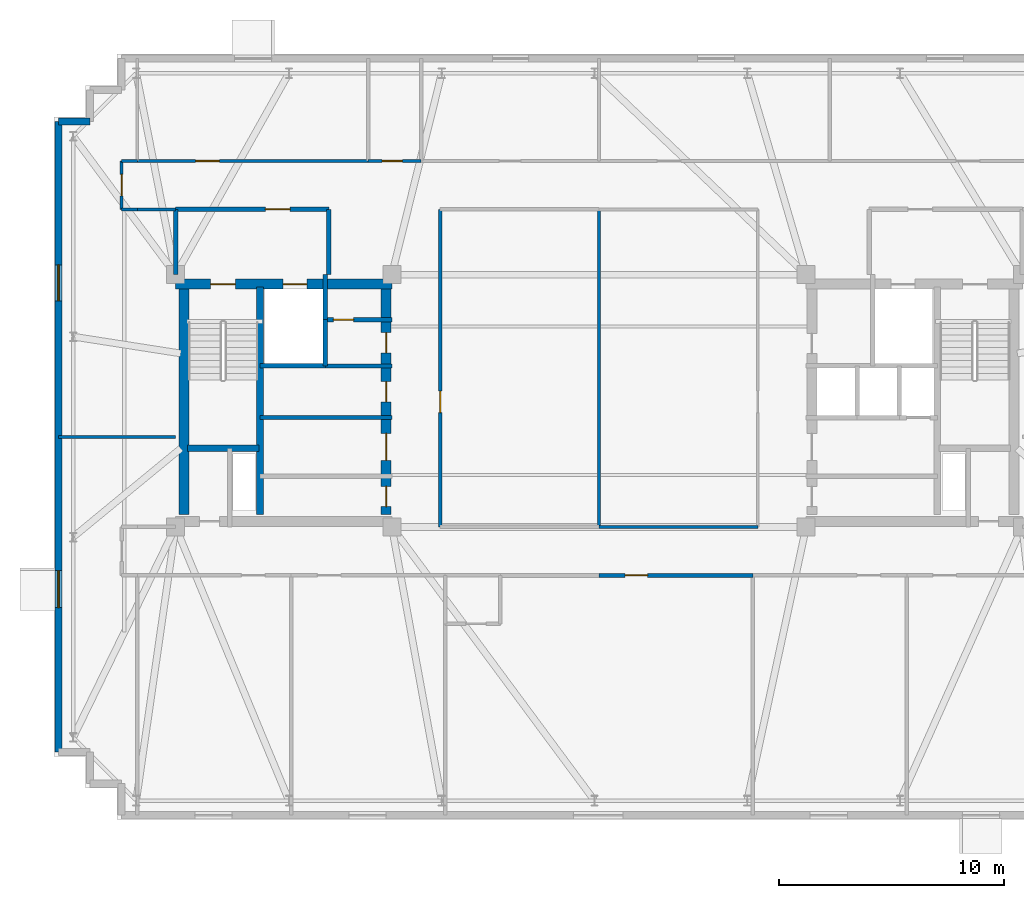
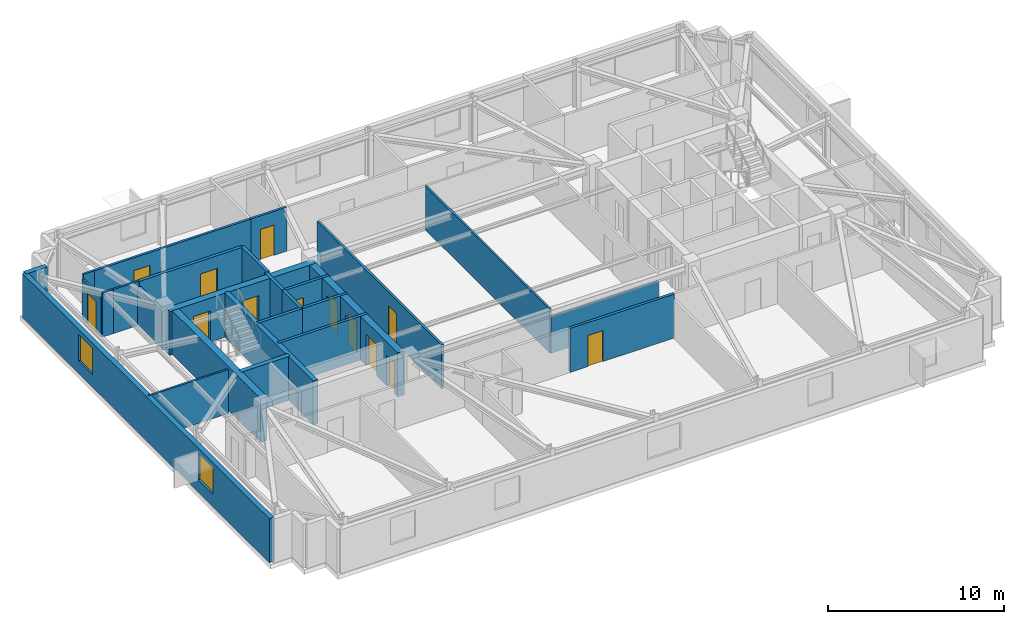
# One storey, part 6 of 10: 27 walls, 13 doors, 2 windows, 15 openings.
"""IFC4 building model written with IfcOpenShell, lengths in metres."""

from ifc_helpers import new_model, si_unit, direction, frame, frame_2d, origin, place, context, subcontext, project, spatial, rectangle, extrude, material, layer, layer_set, type_object, element, fill, save


model = new_model("IFC4")

# Units and contexts
model_context = context("Model", 3, precision=1e-05, world=origin(), true_north=direction((0.0, 1.0)))
body_context = subcontext(model_context, "Body", "Model", "MODEL_VIEW")
ifc_project = project(units=[si_unit("LENGTHUNIT", "METRE"), si_unit("AREAUNIT", "SQUARE_METRE"), si_unit("VOLUMEUNIT", "CUBIC_METRE"), si_unit("PLANEANGLEUNIT", "RADIAN"), si_unit("MASSUNIT", "GRAM", prefix="KILO")], contexts=[model_context])

# Site, building, storey
site_placement = place(None, origin())
site = spatial("IfcSite", under=ifc_project, at=site_placement, CompositionType="ELEMENT")
building_placement = place(site_placement, origin())
building = spatial("IfcBuilding", under=site, at=building_placement, Name="Qobustan Lattice House", CompositionType="ELEMENT")
storey_placement = place(building_placement, frame((0.0, 0.0, 231.64990234375)))
storey = spatial("IfcBuildingStorey", under=building, at=storey_placement, Name="L65", CompositionType="ELEMENT", Elevation=231.64990234375)

# Wall, openings, doors
ifc_material_1 = material(Name="Concrete C50/60", Category="concrete")
ifc_layer_1 = layer(ifc_material_1, 0.43994140625)
ifc_layer_set_1 = layer_set([ifc_layer_1], Name="Concrete C50/60")
wall_type_1 = type_object("IfcWallType", Name="WAL-CORE-440", PredefinedType="SHEAR", material=ifc_layer_set_1)
wall_1_placement = place(storey_placement, frame((-18.800048828125, 5.179931640625, 0.0), z_axis=(0.0, 0.0, 1.0), x_axis=(1.0, 0.0, 0.0)))
wall_1 = element("IfcWall", 1, at=wall_1_placement, inside=storey, type_object=wall_type_1, Name="L65 split-core shear wall CW-N", PredefinedType="SHEAR", context=body_context, shape_type="SweptSolid", body=[
    extrude(rectangle(XDim=9.60009765625, YDim=0.43994140625, at=frame_2d((4.800048828125, 0.0))), origin(), (0.0, 0.0, 1.0), 3.0400390625),
])
opening_1_placement = place(wall_1_placement, frame((1.550048828125, 0.0, 0.0)))
opening_1 = element("IfcOpeningElement", 2, at=opening_1_placement, cuts=wall_1, Name="Opening SD-01", PredefinedType="OPENING", context=body_context, shape_type="SweptSolid", body=[
    extrude(rectangle(XDim=1.10009765625, YDim=2.14990234375, at=frame_2d((0.550048828125, 1.074951171875))), frame((0.0, 0.22998046875, 0.0), z_axis=(0.0, -1.0, 0.0), x_axis=(1.0, 0.0, 0.0)), (0.0, 0.0, 1.0), 0.4599609375),
])
opening_2_placement = place(wall_1_placement, frame((4.77490234375, 0.0, 0.0)))
opening_2 = element("IfcOpeningElement", 3, at=opening_2_placement, cuts=wall_1, Name="Opening LD-01", PredefinedType="OPENING", context=body_context, shape_type="SweptSolid", body=[
    extrude(rectangle(XDim=1.050048828125, YDim=2.10009765625, at=frame_2d((0.52490234375, 1.050048828125))), frame((0.0, 0.22998046875, 0.0), z_axis=(0.0, -1.0, 0.0), x_axis=(1.0, 0.0, 0.0)), (0.0, 0.0, 1.0), 0.4599609375),
])
ifc_material_2 = material(Name="Persian walnut timber and steel frame door", Category="steel")
door_type_1 = type_object("IfcDoorType", Name="DOR-LIFT-LD-1050x2100", OperationType="NOTDEFINED", PredefinedType="DOOR", material=ifc_material_2)
door_1_placement = place(opening_2_placement, origin())
door_1 = element("IfcDoor", 4, at=door_1_placement, inside=storey, type_object=door_type_1, Name="L65 firefighting lift FF-W landing door", OperationType="DOUBLE_DOOR_SLIDING", OverallHeight=2.10009765625, OverallWidth=1.050048828125, PredefinedType="DOOR", context=body_context, shape_type="SweptSolid", body=[
    extrude(rectangle(XDim=1.050048828125, YDim=2.10009765625, at=frame_2d((0.52490234375, 1.050048828125))), frame((0.0, 0.02490234375, 0.0), z_axis=(0.0, -1.0, 0.0), x_axis=(1.0, 0.0, 0.0)), (0.0, 0.0, 1.0), 0.050048828125),
])
fill(opening_2, door_1)
ifc_material_3 = material(Name="Persian walnut timber and steel frame door", Category="steel")
door_type_2 = type_object("IfcDoorType", Name="DOR-STAIR-FD-1100x2150", OperationType="NOTDEFINED", PredefinedType="DOOR", material=ifc_material_3)
door_2_placement = place(opening_1_placement, origin())
door_2 = element("IfcDoor", 5, at=door_2_placement, inside=storey, type_object=door_type_2, Name="L65 exit stair ST-W1 fire door", OperationType="SINGLE_SWING_LEFT", OverallHeight=2.14990234375, OverallWidth=1.10009765625, PredefinedType="DOOR", context=body_context, shape_type="SweptSolid", body=[
    extrude(rectangle(XDim=1.10009765625, YDim=2.14990234375, at=frame_2d((0.550048828125, 1.074951171875))), frame((0.0, 0.02490234375, 0.0), z_axis=(0.0, -1.0, 0.0), x_axis=(1.0, 0.0, 0.0)), (0.0, 0.0, 1.0), 0.050048828125),
])
fill(opening_1, door_2)

# Wall
wall_2_placement = place(storey_placement, frame((-18.429931640625, -5.050048828125, 0.0), z_axis=(0.0, 0.0, 1.0), x_axis=(0.0, 1.0, 0.0)))
element("IfcWall", 6, at=wall_2_placement, inside=storey, type_object=wall_type_1, Name="L65 split-core shear wall CW-W", PredefinedType="SHEAR", context=body_context, shape_type="SweptSolid", body=[
    extrude(rectangle(XDim=10.10009765625, YDim=0.43994140625, at=frame_2d((5.050048828125, 0.0))), origin(), (0.0, 0.0, 1.0), 3.0400390625),
])

# Wall, openings, doors
wall_3_placement = place(storey_placement, frame((-9.449951171875, -5.050048828125, 0.0), z_axis=(0.0, 0.0, 1.0), x_axis=(0.0, 1.0, 0.0)))
wall_3 = element("IfcWall", 7, at=wall_3_placement, inside=storey, type_object=wall_type_1, Name="L65 split-core shear wall CW-E", PredefinedType="SHEAR", context=body_context, shape_type="SweptSolid", body=[
    extrude(rectangle(XDim=10.10009765625, YDim=0.43994140625, at=frame_2d((5.050048828125, 0.0))), origin(), (0.0, 0.0, 1.0), 3.0400390625),
])
opening_3_placement = place(wall_3_placement, frame((7.175048828125, 0.0, 0.0)))
opening_3 = element("IfcOpeningElement", 8, at=opening_3_placement, cuts=wall_3, Name="Opening RD-01", PredefinedType="OPENING", context=body_context, shape_type="SweptSolid", body=[
    extrude(rectangle(XDim=0.89990234375, YDim=2.10009765625, at=frame_2d((0.449951171875, 1.050048828125))), frame((0.0, 0.22998046875, 0.0), z_axis=(0.0, -1.0, 0.0), x_axis=(1.0, 0.0, 0.0)), (0.0, 0.0, 1.0), 0.4599609375),
])
opening_4_placement = place(wall_3_placement, frame((2.39990234375, 0.0, 0.0)))
opening_4 = element("IfcOpeningElement", 9, at=opening_4_placement, cuts=wall_3, Name="Opening FD-01", PredefinedType="OPENING", context=body_context, shape_type="SweptSolid", body=[
    extrude(rectangle(XDim=1.199951171875, YDim=2.14990234375, at=frame_2d((0.60009765625, 1.074951171875))), frame((0.0, 0.22998046875, 0.0), z_axis=(0.0, -1.0, 0.0), x_axis=(1.0, 0.0, 0.0)), (0.0, 0.0, 1.0), 0.4599609375),
])
opening_5_placement = place(wall_3_placement, frame((0.35009765625, 0.0, 0.0)))
opening_5 = element("IfcOpeningElement", 10, at=opening_5_placement, cuts=wall_3, Name="Opening RD-01", PredefinedType="OPENING", context=body_context, shape_type="SweptSolid", body=[
    extrude(rectangle(XDim=0.89990234375, YDim=2.10009765625, at=frame_2d((0.449951171875, 1.050048828125))), frame((0.0, 0.22998046875, 0.0), z_axis=(0.0, -1.0, 0.0), x_axis=(1.0, 0.0, 0.0)), (0.0, 0.0, 1.0), 0.4599609375),
])
opening_6_placement = place(wall_3_placement, frame((5.0, 0.0, 0.0)))
opening_6 = element("IfcOpeningElement", 11, at=opening_6_placement, cuts=wall_3, Name="Opening RD-01", PredefinedType="OPENING", context=body_context, shape_type="SweptSolid", body=[
    extrude(rectangle(XDim=0.89990234375, YDim=2.10009765625, at=frame_2d((0.449951171875, 1.050048828125))), frame((0.0, 0.22998046875, 0.0), z_axis=(0.0, -1.0, 0.0), x_axis=(1.0, 0.0, 0.0)), (0.0, 0.0, 1.0), 0.4599609375),
])
ifc_material_4 = material(Name="Persian walnut timber and steel frame door", Category="steel")
door_type_3 = type_object("IfcDoorType", Name="DOR-LOBBY-FD-1200x2150", OperationType="NOTDEFINED", PredefinedType="DOOR", material=ifc_material_4)
door_3_placement = place(opening_4_placement, origin())
door_3 = element("IfcDoor", 12, at=door_3_placement, inside=storey, type_object=door_type_3, Name="L65 West core foyer fire door", OperationType="SINGLE_SWING_RIGHT", OverallHeight=2.14990234375, OverallWidth=1.199951171875, PredefinedType="DOOR", context=body_context, shape_type="SweptSolid", body=[
    extrude(rectangle(XDim=1.199951171875, YDim=2.14990234375, at=frame_2d((0.60009765625, 1.074951171875))), frame((0.0, 0.02490234375, 0.0), z_axis=(0.0, -1.0, 0.0), x_axis=(1.0, 0.0, 0.0)), (0.0, 0.0, 1.0), 0.050048828125),
])
fill(opening_4, door_3)
ifc_material_5 = material(Name="Persian walnut timber and steel frame door", Category="steel")
door_type_4 = type_object("IfcDoorType", Name="DOR-RISER-FD-900x2100", OperationType="NOTDEFINED", PredefinedType="DOOR", material=ifc_material_5)
door_4_placement = place(opening_3_placement, origin())
door_4 = element("IfcDoor", 13, at=door_4_placement, inside=storey, type_object=door_type_4, Name="L65 Core utility lobby fire door", OperationType="SINGLE_SWING_LEFT", OverallHeight=2.10009765625, OverallWidth=0.89990234375, PredefinedType="DOOR", context=body_context, shape_type="SweptSolid", body=[
    extrude(rectangle(XDim=0.89990234375, YDim=2.10009765625, at=frame_2d((0.449951171875, 1.050048828125))), frame((0.0, 0.02490234375, 0.0), z_axis=(0.0, -1.0, 0.0), x_axis=(1.0, 0.0, 0.0)), (0.0, 0.0, 1.0), 0.050048828125),
])
fill(opening_3, door_4)
door_5_placement = place(opening_5_placement, origin())
door_5 = element("IfcDoor", 14, at=door_5_placement, inside=storey, type_object=door_type_4, Name="L65 Quiet study alcove fire door", OperationType="SINGLE_SWING_LEFT", OverallHeight=2.10009765625, OverallWidth=0.89990234375, PredefinedType="DOOR", context=body_context, shape_type="SweptSolid", body=[
    extrude(rectangle(XDim=0.89990234375, YDim=2.10009765625, at=frame_2d((0.449951171875, 1.050048828125))), frame((0.0, 0.02490234375, 0.0), z_axis=(0.0, -1.0, 0.0), x_axis=(1.0, 0.0, 0.0)), (0.0, 0.0, 1.0), 0.050048828125),
])
fill(opening_5, door_5)
door_6_placement = place(opening_6_placement, origin())
door_6 = element("IfcDoor", 15, at=door_6_placement, inside=storey, type_object=door_type_4, Name="L65 Resident reading pod fire door", OperationType="SINGLE_SWING_RIGHT", OverallHeight=2.10009765625, OverallWidth=0.89990234375, PredefinedType="DOOR", context=body_context, shape_type="SweptSolid", body=[
    extrude(rectangle(XDim=0.89990234375, YDim=2.10009765625, at=frame_2d((0.449951171875, 1.050048828125))), frame((0.0, 0.02490234375, 0.0), z_axis=(0.0, -1.0, 0.0), x_axis=(1.0, 0.0, 0.0)), (0.0, 0.0, 1.0), 0.050048828125),
])
fill(opening_6, door_6)

# Walls
ifc_material_6 = material(Name="Concrete C50/60", Category="concrete")
ifc_layer_2 = layer(ifc_material_6, 0.280029296875)
ifc_layer_set_2 = layer_set([ifc_layer_2], Name="Concrete C50/60")
wall_type_2 = type_object("IfcWallType", Name="WAL-CORE-SPINE-280", PredefinedType="SHEAR", material=ifc_layer_set_2)
wall_4_placement = place(storey_placement, frame((-15.050048828125, -5.050048828125, 0.0), z_axis=(0.0, 0.0, 1.0), x_axis=(0.0, 1.0, 0.0)))
element("IfcWall", 16, at=wall_4_placement, inside=storey, type_object=wall_type_2, Name="L65 split-core shear wall CW-M", PredefinedType="SHEAR", context=body_context, shape_type="SweptSolid", body=[
    extrude(rectangle(XDim=10.10009765625, YDim=0.300048828125, at=frame_2d((5.050048828125, 0.0))), origin(), (0.0, 0.0, 1.0), 3.0400390625),
])
wall_5_placement = place(storey_placement, frame((-18.280029296875, -2.110107421875, 0.0), z_axis=(0.0, 0.0, 1.0), x_axis=(1.0, 0.0, 0.0)))
element("IfcWall", 17, at=wall_5_placement, inside=storey, type_object=wall_type_2, Name="L65 split-core shear wall CW-ST", PredefinedType="SHEAR", context=body_context, shape_type="SweptSolid", body=[
    extrude(rectangle(XDim=3.179931640625, YDim=0.300048828125, at=frame_2d((1.58984375, 0.0))), origin(), (0.0, 0.0, 1.0), 3.0400390625),
])

# Wall, openings, windows
ifc_material_7 = material(Name="Precast concrete C40/50", Category="concrete")
ifc_layer_3 = layer(ifc_material_7, 0.320068359375)
ifc_layer_set_3 = layer_set([ifc_layer_3], Name="Precast concrete C40/50")
wall_type_3 = type_object("IfcWallType", Name="WAL-EXT-STONE-320", PredefinedType="SOLIDWALL", material=ifc_layer_set_3)
wall_6_placement = place(storey_placement, frame((-24.0, -15.60009765625, 0.0), z_axis=(0.0, 0.0, 1.0), x_axis=(0.0, 1.0, 0.0)))
wall_6 = element("IfcWall", 18, at=wall_6_placement, inside=storey, type_object=wall_type_3, Name="L65 exterior limestone-clad wall 5", PredefinedType="SOLIDWALL", context=body_context, shape_type="SweptSolid", body=[
    extrude(rectangle(XDim=28.0, YDim=0.320068359375, at=frame_2d((14.0, 0.0))), origin(), (0.0, 0.0, 1.0), 3.0400390625),
])
opening_7_placement = place(wall_6_placement, frame((6.4150390625, 0.0, 0.85009765625)))
opening_7 = element("IfcOpeningElement", 19, at=opening_7_placement, cuts=wall_6, Name="Opening WN-09", PredefinedType="OPENING", context=body_context, shape_type="SweptSolid", body=[
    extrude(rectangle(XDim=1.64990234375, YDim=1.85009765625, at=frame_2d((0.824951171875, 0.925048828125))), frame((0.0, 0.169921875, 0.0), z_axis=(0.0, -1.0, 0.0), x_axis=(1.0, 0.0, 0.0)), (0.0, 0.0, 1.0), 0.340087890625),
])
opening_8_placement = place(wall_6_placement, frame((20.0400390625, 0.0, 0.85009765625)))
opening_8 = element("IfcOpeningElement", 20, at=opening_8_placement, cuts=wall_6, Name="Opening WN-13", PredefinedType="OPENING", context=body_context, shape_type="SweptSolid", body=[
    extrude(rectangle(XDim=1.60009765625, YDim=1.85009765625, at=frame_2d((0.800048828125, 0.925048828125))), frame((0.0, 0.169921875, 0.0), z_axis=(0.0, -1.0, 0.0), x_axis=(1.0, 0.0, 0.0)), (0.0, 0.0, 1.0), 0.340087890625),
])
ifc_material_8 = material(Name="Double-glazed low-E aluminium window", Category="aluminium")
window_type_1 = type_object("IfcWindowType", Name="WIN-BED-1600x1850", PartitioningType="SINGLE_PANEL", PredefinedType="WINDOW", material=ifc_material_8)
window_1_placement = place(opening_8_placement, origin())
window_1 = element("IfcWindow", 21, at=window_1_placement, inside=storey, type_object=window_type_1, Name="L65 Music and podcast studio window", OverallHeight=1.85009765625, OverallWidth=1.60009765625, PartitioningType="SINGLE_PANEL", PredefinedType="WINDOW", context=body_context, shape_type="SweptSolid", body=[
    extrude(rectangle(XDim=1.60009765625, YDim=1.85009765625, at=frame_2d((0.800048828125, 0.925048828125))), frame((0.0, 0.030029296875, 0.0), z_axis=(0.0, -1.0, 0.0), x_axis=(1.0, 0.0, 0.0)), (0.0, 0.0, 1.0), 0.06005859375),
])
fill(opening_8, window_1)
ifc_material_9 = material(Name="Double-glazed low-E aluminium window", Category="aluminium")
window_type_2 = type_object("IfcWindowType", Name="WIN-STU-1650x1850", PartitioningType="SINGLE_PANEL", PredefinedType="WINDOW", material=ifc_material_9)
window_2_placement = place(opening_7_placement, origin())
window_2 = element("IfcWindow", 22, at=window_2_placement, inside=storey, type_object=window_type_2, Name="L65 Academic seminar room window", OverallHeight=1.85009765625, OverallWidth=1.64990234375, PartitioningType="SINGLE_PANEL", PredefinedType="WINDOW", context=body_context, shape_type="SweptSolid", body=[
    extrude(rectangle(XDim=1.64990234375, YDim=1.85009765625, at=frame_2d((0.824951171875, 0.925048828125))), frame((0.0, 0.030029296875, 0.0), z_axis=(0.0, -1.0, 0.0), x_axis=(1.0, 0.0, 0.0)), (0.0, 0.0, 1.0), 0.06005859375),
])
fill(opening_7, window_2)

# Wall
wall_7_placement = place(storey_placement, frame((-24.0, 12.39990234375, 0.0), z_axis=(0.0, 0.0, 1.0), x_axis=(1.0, 0.0, 0.0)))
element("IfcWall", 23, at=wall_7_placement, inside=storey, type_object=wall_type_3, Name="L65 exterior limestone-clad wall 6", PredefinedType="SOLIDWALL", context=body_context, shape_type="SweptSolid", body=[
    extrude(rectangle(XDim=1.39990234375, YDim=0.320068359375, at=frame_2d((0.699951171875, 0.0))), origin(), (0.0, 0.0, 1.0), 3.0400390625),
])

# Wall, opening, door
ifc_material_10 = material(Name="Gypsum fireboard acoustic partition", Category="gypsum")
ifc_layer_4 = layer(ifc_material_10, 0.179931640625)
ifc_layer_set_4 = layer_set([ifc_layer_4], Name="Gypsum fireboard acoustic partition")
wall_type_4 = type_object("IfcWallType", Name="WAL-FIRE-180", PredefinedType="PARTITIONING", material=ifc_layer_set_4)
wall_8_placement = place(storey_placement, frame((-9.199951171875, 3.60009765625, 0.0), z_axis=(0.0, 0.0, 1.0), x_axis=(-1.0, 0.0, 0.0)))
wall_8 = element("IfcWall", 24, at=wall_8_placement, inside=storey, type_object=wall_type_4, Name="L65 interior partition 7", PredefinedType="PARTITIONING", context=body_context, shape_type="SweptSolid", body=[
    extrude(rectangle(XDim=2.949951171875, YDim=0.179931640625, at=frame_2d((1.47509765625, 0.0))), origin(), (0.0, 0.0, 1.0), 3.0400390625),
])
opening_9_placement = place(wall_8_placement, frame((1.699951171875, 0.0, 0.0)))
opening_9 = element("IfcOpeningElement", 25, at=opening_9_placement, cuts=wall_8, Name="Opening RD-01", PredefinedType="OPENING", context=body_context, shape_type="SweptSolid", body=[
    extrude(rectangle(XDim=0.89990234375, YDim=2.10009765625, at=frame_2d((0.449951171875, 1.050048828125))), frame((0.0, 0.099853515625, 0.0), z_axis=(0.0, -1.0, 0.0), x_axis=(1.0, 0.0, 0.0)), (0.0, 0.0, 1.0), 0.199951171875),
])
door_7_placement = place(opening_9_placement, origin())
door_7 = element("IfcDoor", 26, at=door_7_placement, inside=storey, type_object=door_type_4, Name="L65 Core utility lobby to Cleaner store door", OperationType="SINGLE_SWING_RIGHT", OverallHeight=2.10009765625, OverallWidth=0.89990234375, PredefinedType="DOOR", context=body_context, shape_type="SweptSolid", body=[
    extrude(rectangle(XDim=0.89990234375, YDim=2.10009765625, at=frame_2d((0.449951171875, 1.050048828125))), frame((0.0, 0.02490234375, 0.0), z_axis=(0.0, -1.0, 0.0), x_axis=(1.0, 0.0, 0.0)), (0.0, 0.0, 1.0), 0.050048828125),
])
fill(opening_9, door_7)

# Walls
wall_9_placement = place(storey_placement, frame((-12.14990234375, 1.550048828125, 0.0), z_axis=(0.0, 0.0, 1.0), x_axis=(1.0, 0.0, 0.0)))
element("IfcWall", 27, at=wall_9_placement, inside=storey, type_object=wall_type_4, Name="L65 interior partition 8", PredefinedType="PARTITIONING", context=body_context, shape_type="SweptSolid", body=[
    extrude(rectangle(XDim=2.949951171875, YDim=0.179931640625, at=frame_2d((1.47509765625, 0.0))), origin(), (0.0, 0.0, 1.0), 3.0400390625),
])
wall_10_placement = place(storey_placement, frame((-9.199951171875, -0.75, 0.0), z_axis=(0.0, 0.0, 1.0), x_axis=(-1.0, 0.0, 0.0)))
element("IfcWall", 28, at=wall_10_placement, inside=storey, type_object=wall_type_4, Name="L65 interior partition 11", PredefinedType="PARTITIONING", context=body_context, shape_type="SweptSolid", body=[
    extrude(rectangle(XDim=5.85009765625, YDim=0.179931640625, at=frame_2d((2.925048828125, 0.0))), origin(), (0.0, 0.0, 1.0), 3.0400390625),
])

# Wall, opening, door
wall_11_placement = place(storey_placement, frame((6.8330078125, -7.75, 0.0), z_axis=(0.0, 0.0, 1.0), x_axis=(-1.0, 0.0, 0.0)))
wall_11 = element("IfcWall", 29, at=wall_11_placement, inside=storey, type_object=wall_type_4, Name="L65 interior partition 57", PredefinedType="PARTITIONING", context=body_context, shape_type="SweptSolid", body=[
    extrude(rectangle(XDim=6.8330078125, YDim=0.179931640625, at=frame_2d((3.41650390625, 0.0))), origin(), (0.0, 0.0, 1.0), 3.0400390625),
])
opening_10_placement = place(wall_11_placement, frame((4.6689453125, 0.0, 0.0)))
opening_10 = element("IfcOpeningElement", 30, at=opening_10_placement, cuts=wall_11, Name="Opening FD-02", PredefinedType="OPENING", context=body_context, shape_type="SweptSolid", body=[
    extrude(rectangle(XDim=1.0, YDim=2.14990234375, at=frame_2d((0.5, 1.074951171875))), frame((0.0, 0.099853515625, 0.0), z_axis=(0.0, -1.0, 0.0), x_axis=(1.0, 0.0, 0.0)), (0.0, 0.0, 1.0), 0.199951171875),
])
ifc_material_11 = material(Name="Persian walnut timber and steel frame door", Category="steel")
door_type_5 = type_object("IfcDoorType", Name="DOR-UNIT-FD-1000x2150", OperationType="NOTDEFINED", PredefinedType="DOOR", material=ifc_material_11)
door_8_placement = place(opening_10_placement, origin())
door_8 = element("IfcDoor", 31, at=door_8_placement, inside=storey, type_object=door_type_5, Name="L65 South-east floor corridor to Kitchenette and studio apartment L65-S2 door", OperationType="SINGLE_SWING_RIGHT", OverallHeight=2.14990234375, OverallWidth=1.0, PredefinedType="DOOR", context=body_context, shape_type="SweptSolid", body=[
    extrude(rectangle(XDim=1.0, YDim=2.14990234375, at=frame_2d((0.5, 1.074951171875))), frame((0.0, 0.02490234375, 0.0), z_axis=(0.0, -1.0, 0.0), x_axis=(1.0, 0.0, 0.0)), (0.0, 0.0, 1.0), 0.050048828125),
])
fill(opening_10, door_8)

ifc_material_12 = material(Name="Lightweight acoustic stud partition", Category="gypsum")
ifc_layer_5 = layer(ifc_material_12, 0.125)
ifc_layer_set_5 = layer_set([ifc_layer_5], Name="Lightweight acoustic stud partition")
wall_type_5 = type_object("IfcWallType", Name="WAL-PART-125", PredefinedType="PARTITIONING", material=ifc_layer_set_5)
wall_12_placement = place(storey_placement, frame((-21.199951171875, 8.5, 0.0), z_axis=(0.0, 0.0, 1.0), x_axis=(0.0, 1.0, 0.0)))
wall_12 = element("IfcWall", 32, at=wall_12_placement, inside=storey, type_object=wall_type_5, Name="L65 interior partition 29", PredefinedType="PARTITIONING", context=body_context, shape_type="SweptSolid", body=[
    extrude(rectangle(XDim=2.14990234375, YDim=0.125, at=frame_2d((1.074951171875, 0.0))), origin(), (0.0, 0.0, 1.0), 2.695068359375),
])
opening_11_placement = place(wall_12_placement, frame((0.60009765625, 0.0, 0.0)))
opening_11 = element("IfcOpeningElement", 33, at=opening_11_placement, cuts=wall_12, Name="Opening ID-01", PredefinedType="OPENING", context=body_context, shape_type="SweptSolid", body=[
    extrude(rectangle(XDim=0.949951171875, YDim=2.10009765625, at=frame_2d((0.47509765625, 1.050048828125))), frame((0.0, 0.072509765625, 0.0), z_axis=(0.0, -1.0, 0.0), x_axis=(1.0, 0.0, 0.0)), (0.0, 0.0, 1.0), 0.14501953125),
])
ifc_material_13 = material(Name="Persian walnut timber and steel frame door", Category="steel")
door_type_6 = type_object("IfcDoorType", Name="DOR-ROOM-950x2100", OperationType="NOTDEFINED", PredefinedType="DOOR", material=ifc_material_13)
door_9_placement = place(opening_11_placement, origin())
door_9 = element("IfcDoor", 34, at=door_9_placement, inside=storey, type_object=door_type_6, Name="L65 North-west floor corridor to Music and podcast studio door", OperationType="SINGLE_SWING_LEFT", OverallHeight=2.10009765625, OverallWidth=0.949951171875, PredefinedType="DOOR", context=body_context, shape_type="SweptSolid", body=[
    extrude(rectangle(XDim=0.949951171875, YDim=2.10009765625, at=frame_2d((0.47509765625, 1.050048828125))), frame((0.0, 0.02490234375, 0.0), z_axis=(0.0, -1.0, 0.0), x_axis=(1.0, 0.0, 0.0)), (0.0, 0.0, 1.0), 0.050048828125),
])
fill(opening_11, door_9)

# Walls
wall_13_placement = place(storey_placement, frame((-18.800048828125, 8.5, 0.0), z_axis=(0.0, 0.0, 1.0), x_axis=(-1.0, 0.0, 0.0)))
element("IfcWall", 35, at=wall_13_placement, inside=storey, type_object=wall_type_5, Name="L65 interior partition 30", PredefinedType="PARTITIONING", context=body_context, shape_type="SweptSolid", body=[
    extrude(rectangle(XDim=1.699951171875, YDim=0.125, at=frame_2d((0.85009765625, 0.0))), origin(), (0.0, 0.0, 1.0), 3.0400390625),
])
for number, where, z_axis, x_axis, name in (
    (36, (-20.5, 8.5, 0.0), (0.0, 0.0, 1.0), (-1.0, 0.0, 0.0), "L65 interior partition 31"),
    (37, (-21.199951171875, 10.64990234375, 0.0), (0.0, 0.0, 1.0), (1.0, 0.0, 0.0), "L65 interior partition 32"),
):
    element("IfcWall", number, at=place(storey_placement, frame(where, z_axis=z_axis, x_axis=x_axis)), inside=storey, type_object=wall_type_5, Name=name, PredefinedType="PARTITIONING", context=body_context, shape_type="SweptSolid", body=[
        extrude(rectangle(XDim=0.699951171875, YDim=0.125, at=frame_2d((0.35009765625, 0.0))), origin(), (0.0, 0.0, 1.0), 3.0400390625),
    ])
wall_14_placement = place(storey_placement, frame((0.0, -5.60009765625, 0.0), z_axis=(0.0, 0.0, 1.0), x_axis=(1.0, 0.0, 0.0)))
element("IfcWall", 38, at=wall_14_placement, inside=storey, type_object=wall_type_5, Name="L65 interior partition 60", PredefinedType="PARTITIONING", context=body_context, shape_type="SweptSolid", body=[
    extrude(rectangle(XDim=7.050048828125, YDim=0.125, at=frame_2d((3.52490234375, 0.0))), origin(), (0.0, 0.0, 1.0), 2.525146484375),
])
wall_15_placement = place(storey_placement, frame((-24.0, -1.60009765625, 0.0), z_axis=(0.0, 0.0, 1.0), x_axis=(1.0, 0.0, 0.0)))
element("IfcWall", 39, at=wall_15_placement, inside=storey, type_object=wall_type_5, Name="L65 interior partition 63", PredefinedType="PARTITIONING", context=body_context, shape_type="SweptSolid", body=[
    extrude(rectangle(XDim=5.199951171875, YDim=0.125, at=frame_2d((2.60009765625, 0.0))), origin(), (0.0, 0.0, 1.0), 3.0400390625),
])
wall_16_placement = place(storey_placement, frame((0.0, 8.5, 0.0), z_axis=(0.0, 0.0, 1.0), x_axis=(0.0, -1.0, 0.0)))
element("IfcWall", 40, at=wall_16_placement, inside=storey, type_object=wall_type_5, Name="L65 interior partition 80", PredefinedType="PARTITIONING", context=body_context, shape_type="SweptSolid", body=[
    extrude(rectangle(XDim=14.10009765625, YDim=0.125, at=frame_2d((7.050048828125, 0.0))), origin(), (0.0, 0.0, 1.0), 3.0400390625),
])

# Wall, opening, door
ifc_material_14 = material(Name="Acoustic twin-stud gypsum partition", Category="gypsum")
ifc_layer_6 = layer(ifc_material_14, 0.14990234375)
ifc_layer_set_6 = layer_set([ifc_layer_6], Name="Acoustic twin-stud gypsum partition")
wall_type_6 = type_object("IfcWallType", Name="WAL-PART-150", PredefinedType="PARTITIONING", material=ifc_layer_set_6)
wall_17_placement = place(storey_placement, frame((-20.5, 10.64990234375, 0.0), z_axis=(0.0, 0.0, 1.0), x_axis=(1.0, 0.0, 0.0)))
wall_17 = element("IfcWall", 41, at=wall_17_placement, inside=storey, type_object=wall_type_6, Name="L65 interior partition 33", PredefinedType="PARTITIONING", context=body_context, shape_type="SweptSolid", body=[
    extrude(rectangle(XDim=10.25, YDim=0.14990234375, at=frame_2d((5.125, 0.0))), origin(), (0.0, 0.0, 1.0), 3.0400390625),
])
opening_12_placement = place(wall_17_placement, frame((2.590087890625, 0.0, 0.0)))
opening_12 = element("IfcOpeningElement", 42, at=opening_12_placement, cuts=wall_17, Name="Opening ID-02", PredefinedType="OPENING", context=body_context, shape_type="SweptSolid", body=[
    extrude(rectangle(XDim=1.050048828125, YDim=2.14990234375, at=frame_2d((0.52490234375, 1.074951171875))), frame((0.0, 0.0849609375, 0.0), z_axis=(0.0, -1.0, 0.0), x_axis=(1.0, 0.0, 0.0)), (0.0, 0.0, 1.0), 0.169921875),
])
ifc_material_15 = material(Name="Persian walnut timber and steel frame door", Category="steel")
door_type_7 = type_object("IfcDoorType", Name="DOR-STUDY-1050x2150", OperationType="NOTDEFINED", PredefinedType="DOOR", material=ifc_material_15)
door_10_placement = place(opening_12_placement, origin())
door_10 = element("IfcDoor", 43, at=door_10_placement, inside=storey, type_object=door_type_7, Name="L65 North-west floor corridor to Focus study room N1 door", OperationType="SINGLE_SWING_RIGHT", OverallHeight=2.14990234375, OverallWidth=1.050048828125, PredefinedType="DOOR", context=body_context, shape_type="SweptSolid", body=[
    extrude(rectangle(XDim=1.050048828125, YDim=2.14990234375, at=frame_2d((0.52490234375, 1.074951171875))), frame((0.0, 0.02490234375, 0.0), z_axis=(0.0, -1.0, 0.0), x_axis=(1.0, 0.0, 0.0)), (0.0, 0.0, 1.0), 0.050048828125),
])
fill(opening_12, door_10)

wall_18_placement = place(storey_placement, frame((-7.050048828125, 8.5, 0.0), z_axis=(0.0, 0.0, 1.0), x_axis=(0.0, -1.0, 0.0)))
wall_18 = element("IfcWall", 44, at=wall_18_placement, inside=storey, type_object=wall_type_6, Name="L65 interior partition 61", PredefinedType="PARTITIONING", context=body_context, shape_type="SweptSolid", body=[
    extrude(rectangle(XDim=14.10009765625, YDim=0.14990234375, at=frame_2d((7.050048828125, 0.0))), origin(), (0.0, 0.0, 1.0), 3.0400390625),
])
opening_13_placement = place(wall_18_placement, frame((8.07373046875, 0.0, 0.0)))
opening_13 = element("IfcOpeningElement", 45, at=opening_13_placement, cuts=wall_18, Name="Opening ID-01", PredefinedType="OPENING", context=body_context, shape_type="SweptSolid", body=[
    extrude(rectangle(XDim=0.949951171875, YDim=2.10009765625, at=frame_2d((0.47509765625, 1.050048828125))), frame((0.0, 0.0849609375, 0.0), z_axis=(0.0, -1.0, 0.0), x_axis=(1.0, 0.0, 0.0)), (0.0, 0.0, 1.0), 0.169921875),
])
door_11_placement = place(opening_13_placement, origin())
door_11 = element("IfcDoor", 46, at=door_11_placement, inside=storey, type_object=door_type_6, Name="L65 West floor link corridor to Design studio workspace door", OperationType="SINGLE_SWING_LEFT", OverallHeight=2.10009765625, OverallWidth=0.949951171875, PredefinedType="DOOR", context=body_context, shape_type="SweptSolid", body=[
    extrude(rectangle(XDim=0.949951171875, YDim=2.10009765625, at=frame_2d((0.47509765625, 1.050048828125))), frame((0.0, 0.02490234375, 0.0), z_axis=(0.0, -1.0, 0.0), x_axis=(1.0, 0.0, 0.0)), (0.0, 0.0, 1.0), 0.050048828125),
])
fill(opening_13, door_11)

ifc_material_16 = material(Name="Two-hour gypsum fireboard acoustic partition", Category="gypsum")
ifc_layer_7 = layer(ifc_material_16, 0.199951171875)
ifc_layer_set_7 = layer_set([ifc_layer_7], Name="Two-hour gypsum fireboard acoustic partition")
wall_type_7 = type_object("IfcWallType", Name="WAL-PROT-200", PredefinedType="PARTITIONING", material=ifc_layer_set_7)
wall_19_placement = place(storey_placement, frame((-12.0, 8.5, 0.0), z_axis=(0.0, 0.0, 1.0), x_axis=(-1.0, 0.0, 0.0)))
wall_19 = element("IfcWall", 47, at=wall_19_placement, inside=storey, type_object=wall_type_7, Name="L65 interior partition 4", PredefinedType="PARTITIONING", context=body_context, shape_type="SweptSolid", body=[
    extrude(rectangle(XDim=6.800048828125, YDim=0.199951171875, at=frame_2d((3.39990234375, 0.0))), origin(), (0.0, 0.0, 1.0), 3.0400390625),
])
opening_14_placement = place(wall_19_placement, frame((1.715087890625, 0.0, 0.0)))
opening_14 = element("IfcOpeningElement", 48, at=opening_14_placement, cuts=wall_19, Name="Opening SD-01", PredefinedType="OPENING", context=body_context, shape_type="SweptSolid", body=[
    extrude(rectangle(XDim=1.10009765625, YDim=2.14990234375, at=frame_2d((0.550048828125, 1.074951171875))), frame((0.0, 0.10986328125, 0.0), z_axis=(0.0, -1.0, 0.0), x_axis=(1.0, 0.0, 0.0)), (0.0, 0.0, 1.0), 0.219970703125),
])
door_12_placement = place(opening_14_placement, origin())
door_12 = element("IfcDoor", 49, at=door_12_placement, inside=storey, type_object=door_type_2, Name="L65 West firefighting lift lobby to North-west floor corridor door", OperationType="SINGLE_SWING_LEFT", OverallHeight=2.14990234375, OverallWidth=1.10009765625, PredefinedType="DOOR", context=body_context, shape_type="SweptSolid", body=[
    extrude(rectangle(XDim=1.10009765625, YDim=2.14990234375, at=frame_2d((0.550048828125, 1.074951171875))), frame((0.0, 0.02490234375, 0.0), z_axis=(0.0, -1.0, 0.0), x_axis=(1.0, 0.0, 0.0)), (0.0, 0.0, 1.0), 0.050048828125),
])
fill(opening_14, door_12)

# Walls
wall_20_placement = place(storey_placement, frame((-12.0, 5.60009765625, 0.0), z_axis=(0.0, 0.0, 1.0), x_axis=(0.0, 1.0, 0.0)))
element("IfcWall", 50, at=wall_20_placement, inside=storey, type_object=wall_type_7, Name="L65 interior partition 5", PredefinedType="PARTITIONING", context=body_context, shape_type="SweptSolid", body=[
    extrude(rectangle(XDim=2.89990234375, YDim=0.199951171875, at=frame_2d((1.449951171875, 0.0))), origin(), (0.0, 0.0, 1.0), 3.0400390625),
])
wall_21_placement = place(storey_placement, frame((-18.800048828125, 8.5, 0.0), z_axis=(0.0, 0.0, 1.0), x_axis=(0.0, -1.0, 0.0)))
element("IfcWall", 51, at=wall_21_placement, inside=storey, type_object=wall_type_7, Name="L65 interior partition 6", PredefinedType="PARTITIONING", context=body_context, shape_type="SweptSolid", body=[
    extrude(rectangle(XDim=2.89990234375, YDim=0.199951171875, at=frame_2d((1.449951171875, 0.0))), origin(), (0.0, 0.0, 1.0), 2.6650390625),
])
ifc_material_17 = material(Name="Concrete C40/50", Category="concrete")
ifc_layer_8 = layer(ifc_material_17, 0.199951171875)
ifc_layer_set_8 = layer_set([ifc_layer_8], Name="Concrete C40/50")
wall_type_8 = type_object("IfcWallType", Name="WAL-SHAFT-200", PredefinedType="PARTITIONING", material=ifc_layer_set_8)
wall_22_placement = place(storey_placement, frame((-12.14990234375, 1.550048828125, 0.0), z_axis=(0.0, 0.0, 1.0), x_axis=(0.0, 1.0, 0.0)))
element("IfcWall", 52, at=wall_22_placement, inside=storey, type_object=wall_type_8, Name="L65 interior partition 2", PredefinedType="PARTITIONING", context=body_context, shape_type="SweptSolid", body=[
    extrude(rectangle(XDim=2.050048828125, YDim=0.199951171875, at=frame_2d((1.02490234375, 0.0))), origin(), (0.0, 0.0, 1.0), 3.0400390625),
])
wall_23_placement = place(storey_placement, frame((-12.14990234375, 3.60009765625, 0.0), z_axis=(0.0, 0.0, 1.0), x_axis=(0.0, 1.0, 0.0)))
element("IfcWall", 53, at=wall_23_placement, inside=storey, type_object=wall_type_8, Name="L65 interior partition 3", PredefinedType="PARTITIONING", context=body_context, shape_type="SweptSolid", body=[
    extrude(rectangle(XDim=2.0, YDim=0.199951171875, at=frame_2d((1.0, 0.0))), origin(), (0.0, 0.0, 1.0), 3.0400390625),
])
wall_24_placement = place(storey_placement, frame((-15.050048828125, 1.550048828125, 0.0), z_axis=(0.0, 0.0, 1.0), x_axis=(1.0, 0.0, 0.0)))
element("IfcWall", 54, at=wall_24_placement, inside=storey, type_object=wall_type_8, Name="L65 interior partition 81", PredefinedType="PARTITIONING", context=body_context, shape_type="SweptSolid", body=[
    extrude(rectangle(XDim=2.900146484375, YDim=0.199951171875, at=frame_2d((1.4501953125, 0.0))), origin(), (0.0, 0.0, 1.0), 3.0400390625),
])

# Wall, opening, door
ifc_material_18 = material(Name="Moisture-resistant acoustic plumbing wall", Category="gypsum")
ifc_layer_9 = layer(ifc_material_18, 0.14990234375)
ifc_layer_set_9 = layer_set([ifc_layer_9], Name="Moisture-resistant acoustic plumbing wall")
wall_type_9 = type_object("IfcWallType", Name="WAL-WET-150", PredefinedType="PLUMBINGWALL", material=ifc_layer_set_9)
wall_25_placement = place(storey_placement, frame((-10.25, 10.64990234375, 0.0), z_axis=(0.0, 0.0, 1.0), x_axis=(1.0, 0.0, 0.0)))
wall_25 = element("IfcWall", 55, at=wall_25_placement, inside=storey, type_object=wall_type_9, Name="L65 interior partition 34", PredefinedType="PLUMBINGWALL", context=body_context, shape_type="SweptSolid", body=[
    extrude(rectangle(XDim=2.35009765625, YDim=0.14990234375, at=frame_2d((1.175048828125, 0.0))), origin(), (0.0, 0.0, 1.0), 3.0400390625),
])
opening_15_placement = place(wall_25_placement, frame((0.6162109375, 0.0, 0.0)))
opening_15 = element("IfcOpeningElement", 56, at=opening_15_placement, cuts=wall_25, Name="Opening WD-01", PredefinedType="OPENING", context=body_context, shape_type="SweptSolid", body=[
    extrude(rectangle(XDim=0.89990234375, YDim=2.10009765625, at=frame_2d((0.449951171875, 1.050048828125))), frame((0.0, 0.0849609375, 0.0), z_axis=(0.0, -1.0, 0.0), x_axis=(1.0, 0.0, 0.0)), (0.0, 0.0, 1.0), 0.169921875),
])
ifc_material_19 = material(Name="Persian walnut timber and steel frame door", Category="steel")
door_type_8 = type_object("IfcDoorType", Name="DOR-WET-900x2100", OperationType="NOTDEFINED", PredefinedType="DOOR", material=ifc_material_19)
door_13_placement = place(opening_15_placement, origin())
door_13 = element("IfcDoor", 57, at=door_13_placement, inside=storey, type_object=door_type_8, Name="L65 North-west floor corridor to Accessible WC door", OperationType="SINGLE_SWING_LEFT", OverallHeight=2.10009765625, OverallWidth=0.89990234375, PredefinedType="DOOR", context=body_context, shape_type="SweptSolid", body=[
    extrude(rectangle(XDim=0.89990234375, YDim=2.10009765625, at=frame_2d((0.449951171875, 1.050048828125))), frame((0.0, 0.02490234375, 0.0), z_axis=(0.0, -1.0, 0.0), x_axis=(1.0, 0.0, 0.0)), (0.0, 0.0, 1.0), 0.050048828125),
])
fill(opening_15, door_13)

save(model, "model.ifc")
